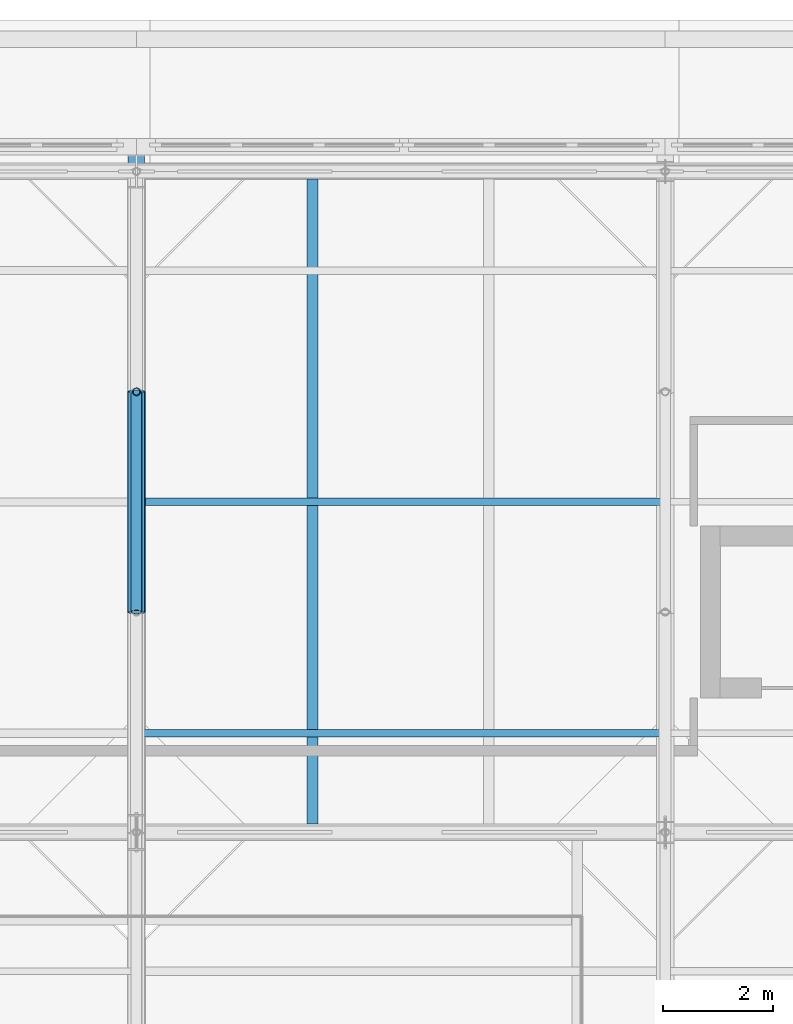
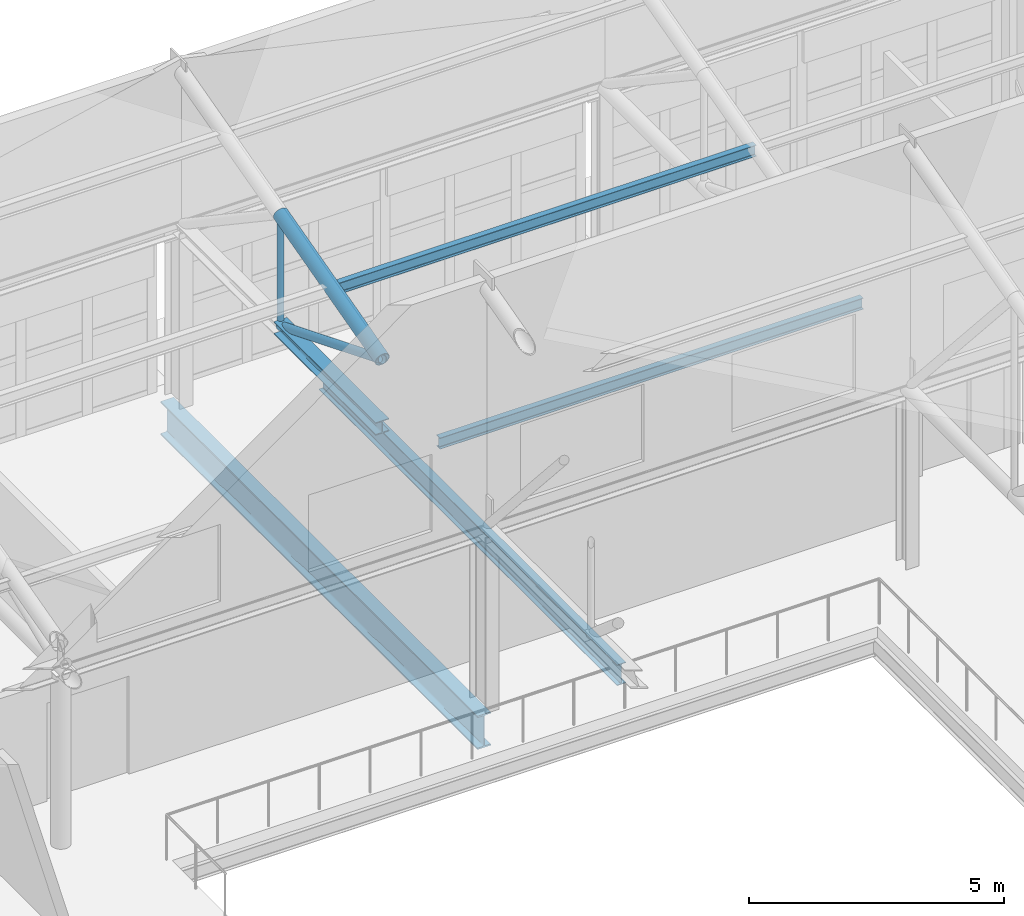
# One storey, part 39 of 89: 6 members, 2 beams.
"""IFC4 building model written with IfcOpenShell, lengths in metres."""

from ifc_helpers import new_model, si_unit, direction, frame, origin, origin_2d, place, context, subcontext, project, spatial, hollow_circle, i_section, extrude, material, material_profile, profile_set, type_object, element, save


model = new_model("IFC4")

# Units and contexts
model_context = context("Model", 3, precision=1e-05, world=origin(), true_north=direction((0.0, 1.0)))
body_context = subcontext(model_context, "Body", "Model", "MODEL_VIEW")
ifc_project = project(units=[si_unit("LENGTHUNIT", "METRE"), si_unit("AREAUNIT", "SQUARE_METRE"), si_unit("VOLUMEUNIT", "CUBIC_METRE"), si_unit("PLANEANGLEUNIT", "RADIAN"), si_unit("MASSUNIT", "GRAM", prefix="KILO")], contexts=[model_context])

# Site, building, storey
site_placement = place(None, origin())
site = spatial("IfcSite", under=ifc_project, at=site_placement, CompositionType="ELEMENT")
building_placement = place(site_placement, origin())
building = spatial("IfcBuilding", under=site, at=building_placement, Name="Zereglee Splitstone Museum", CompositionType="ELEMENT")
storey_placement = place(building_placement, frame((0.0, 0.0, 21.300048828125)))
storey = spatial("IfcBuildingStorey", under=building, at=storey_placement, Name="L04", CompositionType="ELEMENT", Elevation=21.300048828125)

# Members
ifc_material_1 = material(Name="Steel S355J2H", Category="steel")
ifc_material_profile_1 = material_profile(ifc_material_1, hollow_circle(Radius=0.096923828125, WallThickness=0.010009765625, at=origin_2d()), Name="CHS 193.7x10")
ifc_profile_set_1 = profile_set([ifc_material_profile_1], Name="Steel S355J2H")
member_type_1 = type_object("IfcMemberType", Name="TB-04", PredefinedType="BRACE", material=ifc_profile_set_1)
member_1_placement = place(storey_placement, frame((106.800048828125, 46.39990234375, 4.199951171875), z_axis=(0.0, -0.927136001435, 0.374725012299), x_axis=(1.0, 0.0, 0.0)))
element("IfcMember", 1, at=member_1_placement, inside=storey, type_object=member_type_1, Name="Roof Truss ST-04 Diagonal 3.2", PredefinedType="BRACE", context=body_context, shape_type="SweptSolid", body=[
    extrude(hollow_circle(Radius=0.096923828125, WallThickness=0.010009765625, at=origin_2d()), origin(), (0.0, 0.0, 1.0), 4.314453125),
])
ifc_material_profile_2 = material_profile(ifc_material_1, hollow_circle(Radius=0.161865234375, WallThickness=0.01611328125, at=origin_2d()), Name="CHS 323.9x16")
ifc_profile_set_2 = profile_set([ifc_material_profile_2], Name="Steel S355J2H")
member_type_2 = type_object("IfcMemberType", Name="TC-05", PredefinedType="CHORD", material=ifc_profile_set_2)
member_2_placement = place(storey_placement, frame((106.800048828125, 42.39990234375, 5.816650390625), z_axis=(0.0, 0.966235918422, 0.257658979955), x_axis=(-1.0, 0.0, 0.0)))
element("IfcMember", 2, at=member_2_placement, inside=storey, type_object=member_type_2, Name="Roof Truss ST-04 Top Chord 3.2", PredefinedType="CHORD", context=body_context, shape_type="SweptSolid", body=[
    extrude(hollow_circle(Radius=0.161865234375, WallThickness=0.01611328125, at=origin_2d()), origin(), (0.0, 0.0, 1.0), 4.139892578125),
])
ifc_material_2 = material(Name="Steel S355J2", Category="steel")
ifc_material_profile_3 = material_profile(ifc_material_2, i_section(OverallWidth=0.300048828125, OverallDepth=0.300048828125, WebThickness=0.010986328125, FlangeThickness=0.01904296875, FilletRadius=0.027099609375, at=origin_2d()), Name="HE 300 B")
ifc_profile_set_3 = profile_set([ifc_material_profile_3], Name="Steel S355J2")
member_type_3 = type_object("IfcMemberType", Name="TC-07", PredefinedType="CHORD", material=ifc_profile_set_3)
member_3_placement = place(storey_placement, frame((106.800048828125, 42.39990234375, 4.199951171875), z_axis=(0.0, 1.0, 0.0), x_axis=(-1.0, 0.0, 0.0)))
element("IfcMember", 3, at=member_3_placement, inside=storey, type_object=member_type_3, Name="Roof Truss ST-04 Bottom Chord 3.2", PredefinedType="CHORD", context=body_context, shape_type="SweptSolid", body=[
    extrude(i_section(OverallWidth=0.300048828125, OverallDepth=0.300048828125, WebThickness=0.010986328125, FlangeThickness=0.01904296875, FilletRadius=0.027099609375, at=origin_2d()), origin(), (0.0, 0.0, 1.0), 4.0),
])

# Beams
ifc_material_profile_4 = material_profile(ifc_material_2, i_section(OverallWidth=0.300048828125, OverallDepth=0.800048828125, WebThickness=0.017578125, FlangeThickness=0.032958984375, FilletRadius=0.030029296875, at=origin_2d()), Name="HE 800 B")
ifc_profile_set_4 = profile_set([ifc_material_profile_4], Name="Steel S355J2")
beam_type_1 = type_object("IfcBeamType", Name="BG-07", PredefinedType="BEAM", material=ifc_profile_set_4)
beam_1_placement = place(storey_placement, frame((106.800048828125, 38.39990234375, -0.66015625), z_axis=(0.0, 1.0, 0.0), x_axis=(-1.0, 0.0, 0.0)))
element("IfcBeam", 4, at=beam_1_placement, inside=storey, type_object=beam_type_1, Name="Primary Girder L04 13 (38.4-50.9)", PredefinedType="BEAM", context=body_context, shape_type="SweptSolid", body=[
    extrude(i_section(OverallWidth=0.300048828125, OverallDepth=0.800048828125, WebThickness=0.017578125, FlangeThickness=0.032958984375, FilletRadius=0.030029296875, at=origin_2d()), origin(), (0.0, 0.0, 1.0), 12.4501953125),
])
ifc_material_profile_5 = material_profile(ifc_material_2, i_section(OverallWidth=0.199951171875, OverallDepth=0.5, WebThickness=0.01025390625, FlangeThickness=0.01611328125, FilletRadius=0.02099609375, at=origin_2d()), Name="IPE 500")
ifc_profile_set_5 = profile_set([ifc_material_profile_5], Name="Steel S355J2")
beam_type_2 = type_object("IfcBeamType", Name="BJ-01", PredefinedType="JOIST", material=ifc_profile_set_5)
beam_2_placement = place(storey_placement, frame((110.0, 38.550048828125, -0.510009765625), z_axis=(0.0, 1.0, 0.0), x_axis=(-1.0, 0.0, 0.0)))
element("IfcBeam", 5, at=beam_2_placement, inside=storey, type_object=beam_type_2, Name="Secondary Floor Joist L04-1554", PredefinedType="JOIST", context=body_context, shape_type="SweptSolid", body=[
    extrude(i_section(OverallWidth=0.199951171875, OverallDepth=0.5, WebThickness=0.01025390625, FlangeThickness=0.01611328125, FilletRadius=0.02099609375, at=origin_2d()), origin(), (0.0, 0.0, 1.0), 11.7099609375),
])

# Members
ifc_material_profile_6 = material_profile(ifc_material_1, hollow_circle(Radius=0.06982421875, WallThickness=0.008056640625, at=origin_2d()), Name="CHS 139.7x8")
ifc_profile_set_6 = profile_set([ifc_material_profile_6], Name="Steel S355J2H")
member_type_4 = type_object("IfcMemberType", Name="TP-03", PredefinedType="POST", material=ifc_profile_set_6)
member_4_placement = place(storey_placement, frame((106.800048828125, 46.39990234375, 4.199951171875), z_axis=(0.0, 0.0, 1.0), x_axis=(1.0, 0.0, 0.0)))
element("IfcMember", 6, at=member_4_placement, inside=storey, type_object=member_type_4, Name="Roof Truss ST-04 Post 3.2", PredefinedType="POST", context=body_context, shape_type="SweptSolid", body=[
    extrude(hollow_circle(Radius=0.06982421875, WallThickness=0.008056640625, at=origin_2d()), origin(), (0.0, 0.0, 1.0), 2.683349609375),
])
ifc_material_profile_7 = material_profile(ifc_material_2, i_section(OverallWidth=0.135009765625, OverallDepth=0.27001953125, WebThickness=0.006591796875, FlangeThickness=0.01025390625, FilletRadius=0.014892578125, at=origin_2d()), Name="IPE 270")
ifc_profile_set_7 = profile_set([ifc_material_profile_7], Name="Steel S355J2")
member_type_5 = type_object("IfcMemberType", Name="PR-02", PredefinedType="PURLIN", material=ifc_profile_set_7)
for number, where, z_axis, x_axis, name in (
    (7, (106.800048828125, 40.199951171875, 5.168701171875), (1.0, 0.0, 0.0), (0.0, 1.0, 0.0), "Sawtooth Roof Purlin B4-S3-1"),
    (8, (106.800048828125, 44.39990234375, 6.28857421875), (1.0, 0.0, 0.0), (0.0, 1.0, 0.0), "Sawtooth Roof Purlin B4-S3-2"),
):
    element("IfcMember", number, at=place(storey_placement, frame(where, z_axis=z_axis, x_axis=x_axis)), inside=storey, type_object=member_type_5, Name=name, PredefinedType="PURLIN", context=body_context, shape_type="SweptSolid", body=[
        extrude(i_section(OverallWidth=0.135009765625, OverallDepth=0.27001953125, WebThickness=0.006591796875, FlangeThickness=0.01025390625, FilletRadius=0.014892578125, at=origin_2d()), origin(), (0.0, 0.0, 1.0), 9.599853515625),
    ])

save(model, "model.ifc")
